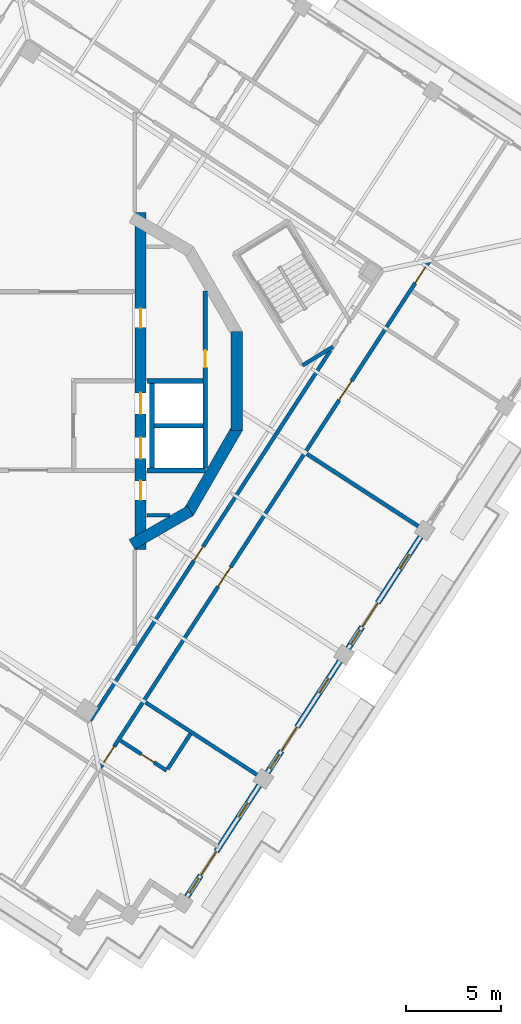
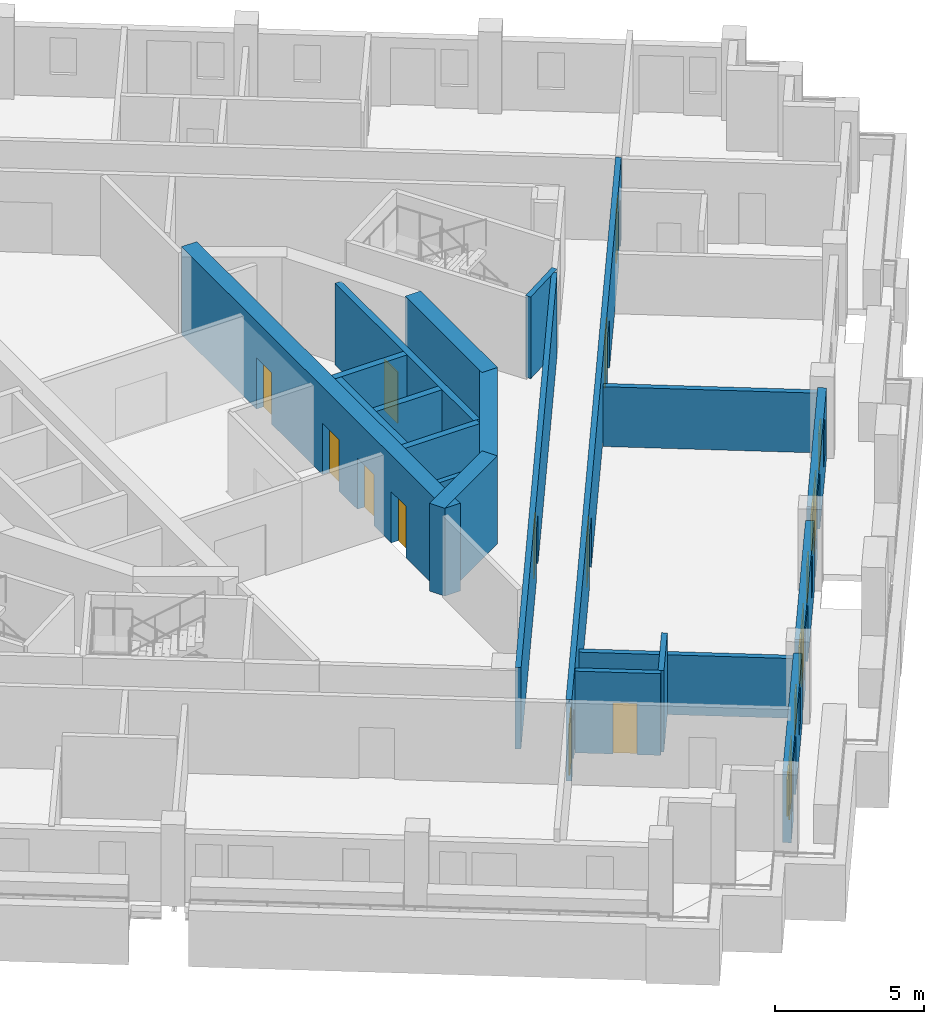
# One storey, part 6 of 15: 20 walls, 14 doors, 6 windows, 20 openings.
"""IFC4 building model written with IfcOpenShell, lengths in metres."""

import ifcopenshell
import ifcopenshell.guid

model = None  # the IFC model being written
_history = None  # IfcOwnerHistory: only IFC2X3 demands one
_inside = {}  # id of a spatial element -> (the spatial element, [elements in it])
_under = {}  # id of a project, library or spatial element -> (it, [spatial elements below it])
_declared = {}  # id of a project -> (the project, [libraries it declares])
_typed = {}  # id of a type object -> (the type object, [elements of that type])
_made_of = {}  # id of a material, layer set ... -> (it, [elements and type objects made of it])


def new_model(schema):
    """Start an empty IFC model of exactly this schema.

    Asked for "IFC4X3", IfcOpenShell would pick the latest addendum, in which some entities
    have other attributes; the version numbers below select the first issue.
    IFC2X3 requires an IfcOwnerHistory on every rooted entity: one is made here for all.
    """
    global model, _history
    if schema == "IFC4X3":
        model = ifcopenshell.file(schema_version=(4, 3, 0, 0))
    else:
        model = ifcopenshell.file(schema=schema)
    _inside.clear()
    _under.clear()
    _declared.clear()
    _typed.clear()
    _made_of.clear()
    _history = None
    if model.schema == "IFC2X3":
        org = make("IfcOrganization", Name="unknown")
        user = make(
            "IfcPersonAndOrganization",
            ThePerson=make("IfcPerson", FamilyName="unknown"),
            TheOrganization=org,
        )
        app = make(
            "IfcApplication",
            ApplicationDeveloper=org,
            Version="unknown",
            ApplicationFullName="unknown",
            ApplicationIdentifier="unknown",
        )
        _history = make(
            "IfcOwnerHistory",
            OwningUser=user,
            OwningApplication=app,
            ChangeAction="ADDED",
            CreationDate=0,
        )
    return model


def make(cls, **values):
    """One entity of the class cls with the attributes given. An attribute that is None is left unset."""
    return model.create_entity(
        cls, **{name: value for name, value in values.items() if value is not None}
    )


def rooted(cls, **values):
    """An entity with a GlobalId (a new one), such as an element, a storey or a relation."""
    return make(cls, GlobalId=ifcopenshell.guid.new(), OwnerHistory=_history, **values)


def si_unit(unit_type, name, prefix=None):
    """IfcSIUnit, for example si_unit("LENGTHUNIT", "METRE", prefix="MILLI")."""
    return make("IfcSIUnit", UnitType=unit_type, Prefix=prefix, Name=name)


def assignment(units):
    """IfcUnitAssignment: the units of a project."""
    return None if units is None else make("IfcUnitAssignment", Units=units)


def point(xyz):
    """IfcCartesianPoint."""
    return None if xyz is None else make("IfcCartesianPoint", Coordinates=xyz)


def direction(xyz):
    """IfcDirection."""
    return None if xyz is None else make("IfcDirection", DirectionRatios=xyz)


def frame(location, z_axis=None, x_axis=None):
    """IfcAxis2Placement3D, a coordinate frame: its origin and axes. An axis left out is left unset."""
    return make(
        "IfcAxis2Placement3D",
        Location=point(location),
        Axis=direction(z_axis),
        RefDirection=direction(x_axis),
    )


def frame_2d(location, x_axis=None):
    """IfcAxis2Placement2D, a coordinate frame in the plane: its origin and x axis."""
    return make(
        "IfcAxis2Placement2D", Location=point(location), RefDirection=direction(x_axis)
    )


def origin():
    """The frame at (0, 0, 0) with its axes left unset."""
    return frame((0.0, 0.0, 0.0))


def place(relative_to, where):
    """IfcLocalPlacement: puts the frame where relative to a parent placement (None: the world)."""
    return make(
        "IfcLocalPlacement", PlacementRelTo=relative_to, RelativePlacement=where
    )


def context(
    kind, dimensions, precision=None, world=None, true_north=None, identifier=None
):
    """IfcGeometricRepresentationContext, for example the 3D "Model" context."""
    return make(
        "IfcGeometricRepresentationContext",
        ContextIdentifier=identifier,
        ContextType=kind,
        CoordinateSpaceDimension=dimensions,
        Precision=precision,
        WorldCoordinateSystem=world,
        TrueNorth=true_north,
    )


def subcontext(parent, identifier, kind, view, scale=None):
    """IfcGeometricRepresentationSubContext, for example "Body" below "Model"."""
    return make(
        "IfcGeometricRepresentationSubContext",
        ContextIdentifier=identifier,
        ContextType=kind,
        ParentContext=parent,
        TargetScale=scale,
        TargetView=view,
    )


def project(units=None, contexts=None):
    """IfcProject with its units and contexts."""
    return rooted(
        "IfcProject",
        Name="project",
        RepresentationContexts=contexts,
        UnitsInContext=assignment(units),
    )


def spatial(cls, under=None, at=None, **own):
    """A site, building, storey or space (cls), placed at a placement, below another one or the project."""
    s = rooted(cls, ObjectPlacement=at, **own)
    if under is not None:
        _under.setdefault(under.id(), (under, []))[1].append(s)
    return s


def profile(cls, at=None, kind="AREA", **sizes):
    """A parametric profile (cls). Its sizes go by their IFC names, for example OverallWidth=200.0."""
    return make(cls, ProfileType=kind, Position=at, **sizes)


def rectangle(**sizes):
    """IfcRectangleProfileDef."""
    return profile("IfcRectangleProfileDef", **sizes)


def extrude(swept, where, along, depth):
    """IfcExtrudedAreaSolid: the profile swept, set in the frame where, extruded along a direction by depth."""
    return make(
        "IfcExtrudedAreaSolid",
        SweptArea=swept,
        Position=where,
        ExtrudedDirection=direction(along),
        Depth=depth,
    )


def shape(context_of_items, identifier, shape_type, items):
    """IfcShapeRepresentation: the items that make up one representation, for example the "Body"."""
    return make(
        "IfcShapeRepresentation",
        ContextOfItems=context_of_items,
        RepresentationIdentifier=identifier,
        RepresentationType=shape_type,
        Items=items,
    )


def material(Name=None, Category=None):
    """IfcMaterial."""
    return make("IfcMaterial", Name=Name, Category=Category)


def layer(
    of_material, thickness, ventilated=None, Name=None, Category=None, Priority=None
):
    """IfcMaterialLayer: one layer of a wall or slab, of a material (None: an air gap)."""
    return make(
        "IfcMaterialLayer",
        Material=of_material,
        LayerThickness=thickness,
        IsVentilated=ventilated,
        Name=Name,
        Category=Category,
        Priority=Priority,
    )


def layer_set(layers, Name=None):
    """IfcMaterialLayerSet."""
    return make("IfcMaterialLayerSet", MaterialLayers=layers, LayerSetName=Name)


def made_of(thing, what):
    """Note that an element or type object is made of a material, layer set ...; save() writes the relation."""
    if what is not None:
        _made_of.setdefault(what.id(), (what, []))[1].append(thing)
    return thing


def type_object(cls, material=None, **own):
    """A type object (cls), such as IfcWallType, which elements share."""
    return made_of(rooted(cls, **own), material)


def element(
    cls,
    number,
    at=None,
    inside=None,
    cuts=None,
    type_object=None,
    material=None,
    context=None,
    identifier="Body",
    shape_type=None,
    held_by="IfcProductDefinitionShape",
    body=None,
    shapes=None,
    **own,
):
    """One element of the class cls, such as IfcWall. Its Tag is "e" and its number.

    at: its placement. inside: the storey or other place that contains it. cuts: it is an
    opening in that element (IfcRelVoidsElement). A single representation is given by context,
    identifier, shape_type and body (its items); several are given by shapes. held_by: the class
    of the entity that holds the representations. save() writes the other relations.
    """
    e = rooted(cls, Tag="e%d" % number, ObjectPlacement=at, **own)
    if body is not None:
        shapes = [shape(context, identifier, shape_type, body)]
    if shapes is not None:
        e.Representation = make(held_by, Representations=shapes)
    if inside is not None:
        _inside.setdefault(inside.id(), (inside, []))[1].append(e)
    if cuts is not None:
        rooted(
            "IfcRelVoidsElement", RelatingBuildingElement=cuts, RelatedOpeningElement=e
        )
    if type_object is not None:
        _typed.setdefault(type_object.id(), (type_object, []))[1].append(e)
    return made_of(e, material)


def fill(opening, filler):
    """IfcRelFillsElement: the door or window that sits in an opening."""
    return rooted(
        "IfcRelFillsElement",
        RelatingOpeningElement=opening,
        RelatedBuildingElement=filler,
    )


def aggregate(whole, parts):
    """IfcRelAggregates: a whole, such as a stair, and the parts it consists of."""
    return rooted("IfcRelAggregates", RelatingObject=whole, RelatedObjects=parts)


def save(model, path):
    """Write the relations noted so far, then the file.

    IfcRelAggregates (storeys below a building ...), IfcRelContainedInSpatialStructure (elements
    in a storey), IfcRelDefinesByType, IfcRelAssociatesMaterial and IfcRelDeclares: one each for
    every whole, place, type object, material and project.
    """
    for whole, parts in _under.values():
        aggregate(whole, parts)
    for where, things in _inside.values():
        rooted(
            "IfcRelContainedInSpatialStructure",
            RelatedElements=things,
            RelatingStructure=where,
        )
    for kind, things in _typed.values():
        rooted("IfcRelDefinesByType", RelatedObjects=things, RelatingType=kind)
    for what, things in _made_of.values():
        rooted("IfcRelAssociatesMaterial", RelatedObjects=things, RelatingMaterial=what)
    for by, libraries in _declared.values():
        rooted("IfcRelDeclares", RelatingContext=by, RelatedDefinitions=libraries)
    model.write(path)


model = new_model("IFC4")

# Units and contexts
model_context = context("Model", 3, precision=1e-05, world=origin(), true_north=direction((0.0, 1.0)))
body_context = subcontext(model_context, "Body", "Model", "MODEL_VIEW")
ifc_project = project(units=[si_unit("LENGTHUNIT", "METRE"), si_unit("AREAUNIT", "SQUARE_METRE"), si_unit("VOLUMEUNIT", "CUBIC_METRE"), si_unit("PLANEANGLEUNIT", "RADIAN"), si_unit("MASSUNIT", "GRAM", prefix="KILO")], contexts=[model_context])

# Site, building, storey
site_placement = place(None, origin())
site = spatial("IfcSite", under=ifc_project, at=site_placement, CompositionType="ELEMENT")
building_placement = place(site_placement, origin())
building = spatial("IfcBuilding", under=site, at=building_placement, Name="Cantera Rosa Tower", CompositionType="ELEMENT")
storey_placement = place(building_placement, frame((0.0, 0.0, 282.89990234375)))
storey = spatial("IfcBuildingStorey", under=building, at=storey_placement, Name="L64", CompositionType="ELEMENT", Elevation=282.89990234375)

# Wall, opening, door
ifc_material_1 = material(Name="Gypsum board partition")
ifc_layer_1 = layer(ifc_material_1, 0.199951171875)
ifc_layer_set_1 = layer_set([ifc_layer_1], Name="CORRIDOR WALL 200 H3350")
wall_type_1 = type_object("IfcWallType", Name="CORRIDOR WALL 200 H3350", PredefinedType="PARTITIONING", material=ifc_layer_set_1)
wall_1_placement = place(storey_placement, frame((1.656982421875, -17.828857421875, 0.0), z_axis=(0.0, 0.0, 1.0), x_axis=(0.544640309195, 0.838669740482, 0.0)))
wall_1 = element("IfcWall", 1, at=wall_1_placement, inside=storey, type_object=wall_type_1, Name="CORRIDOR WALL L64-051", PredefinedType="PARTITIONING", context=body_context, shape_type="SweptSolid", body=[
    extrude(rectangle(XDim=23.1552734375, YDim=0.199951171875, at=frame_2d((11.57763671875, 0.0))), origin(), (0.0, 0.0, 1.0), 3.35009765625),
])
opening_1_placement = place(wall_1_placement, frame((9.984619140625, 0.0, 0.0)))
opening_1 = element("IfcOpeningElement", 2, at=opening_1_placement, cuts=wall_1, Name="Opening L64-007", PredefinedType="OPENING", context=body_context, shape_type="SweptSolid", body=[
    extrude(rectangle(XDim=0.89990234375, YDim=2.10009765625, at=frame_2d((0.449951171875, 1.050048828125))), frame((0.0, 0.10986328125, 0.0), z_axis=(0.0, -1.0, 0.0), x_axis=(1.0, 0.0, 0.0)), (0.0, 0.0, 1.0), 0.219970703125),
])
ifc_material_2 = material(Name="Timber door leaf", Category="wood")
door_type_1 = type_object("IfcDoorType", Name="SERVICE DOOR 900x2100", OperationType="NOTDEFINED", PredefinedType="DOOR", material=ifc_material_2)
door_1_placement = place(opening_1_placement, origin())
door_1 = element("IfcDoor", 3, at=door_1_placement, inside=storey, type_object=door_type_1, Name="DOOR L64-007", OperationType="NOTDEFINED", OverallHeight=2.10009765625, OverallWidth=0.89990234375, PredefinedType="DOOR", context=body_context, shape_type="SweptSolid", body=[
    extrude(rectangle(XDim=0.89990234375, YDim=2.10009765625, at=frame_2d((0.449951171875, 1.050048828125))), frame((0.0, 0.02490234375, 0.0), z_axis=(0.0, -1.0, 0.0), x_axis=(1.0, 0.0, 0.0)), (0.0, 0.0, 1.0), 0.050048828125),
])
fill(opening_1, door_1)

# Wall, openings, doors
wall_2_placement = place(storey_placement, frame((2.197265625, -20.302001953125, 0.0), z_axis=(0.0, 0.0, 1.0), x_axis=(0.544636461061, 0.838672239485, 0.0)))
wall_2 = element("IfcWall", 4, at=wall_2_placement, inside=storey, type_object=wall_type_1, Name="CORRIDOR WALL L64-053", PredefinedType="PARTITIONING", context=body_context, shape_type="SweptSolid", body=[
    extrude(rectangle(XDim=31.780029296875, YDim=0.199951171875, at=frame_2d((15.89013671875, 0.0))), origin(), (0.0, 0.0, 1.0), 3.35009765625),
])
opening_2_placement = place(wall_2_placement, frame((11.340087890625, 0.0, 0.0)))
opening_2 = element("IfcOpeningElement", 5, at=opening_2_placement, cuts=wall_2, Name="Opening L64-033", PredefinedType="OPENING", context=body_context, shape_type="SweptSolid", body=[
    extrude(rectangle(XDim=1.199951171875, YDim=2.10009765625, at=frame_2d((0.60009765625, 1.050048828125))), frame((0.0, 0.10986328125, 0.0), z_axis=(0.0, -1.0, 0.0), x_axis=(1.0, 0.0, 0.0)), (0.0, 0.0, 1.0), 0.219970703125),
])
opening_3_placement = place(wall_2_placement, frame((23.010009765625, 0.0, 0.0)))
opening_3 = element("IfcOpeningElement", 6, at=opening_3_placement, cuts=wall_2, Name="Opening L64-034", PredefinedType="OPENING", context=body_context, shape_type="SweptSolid", body=[
    extrude(rectangle(XDim=1.199951171875, YDim=2.10009765625, at=frame_2d((0.60009765625, 1.050048828125))), frame((0.0, 0.10986328125, 0.0), z_axis=(0.0, -1.0, 0.0), x_axis=(1.0, 0.0, 0.0)), (0.0, 0.0, 1.0), 0.219970703125),
])
opening_4_placement = place(wall_2_placement, frame((0.320068359375, 0.0, 0.0)))
opening_4 = element("IfcOpeningElement", 7, at=opening_4_placement, cuts=wall_2, Name="Opening L64-035", PredefinedType="OPENING", context=body_context, shape_type="SweptSolid", body=[
    extrude(rectangle(XDim=1.0, YDim=2.10009765625, at=frame_2d((0.5, 1.050048828125))), frame((0.0, 0.10986328125, 0.0), z_axis=(0.0, -1.0, 0.0), x_axis=(1.0, 0.0, 0.0)), (0.0, 0.0, 1.0), 0.219970703125),
])
opening_5_placement = place(wall_2_placement, frame((30.340087890625, 0.0, 0.0)))
opening_5 = element("IfcOpeningElement", 8, at=opening_5_placement, cuts=wall_2, Name="Opening L64-038", PredefinedType="OPENING", context=body_context, shape_type="SweptSolid", body=[
    extrude(rectangle(XDim=1.0, YDim=2.10009765625, at=frame_2d((0.5, 1.050048828125))), frame((0.0, 0.10986328125, 0.0), z_axis=(0.0, -1.0, 0.0), x_axis=(1.0, 0.0, 0.0)), (0.0, 0.0, 1.0), 0.219970703125),
])
ifc_material_3 = material(Name="Timber door leaf", Category="wood")
door_type_2 = type_object("IfcDoorType", Name="ENTRANCE DOOR 1000x2100", OperationType="NOTDEFINED", PredefinedType="DOOR", material=ifc_material_3)
door_2_placement = place(opening_4_placement, origin())
door_2 = element("IfcDoor", 9, at=door_2_placement, inside=storey, type_object=door_type_2, Name="DOOR L64-035", OperationType="NOTDEFINED", OverallHeight=2.10009765625, OverallWidth=1.0, PredefinedType="DOOR", context=body_context, shape_type="SweptSolid", body=[
    extrude(rectangle(XDim=1.0, YDim=2.10009765625, at=frame_2d((0.5, 1.050048828125))), frame((0.0, 0.02490234375, 0.0), z_axis=(0.0, -1.0, 0.0), x_axis=(1.0, 0.0, 0.0)), (0.0, 0.0, 1.0), 0.050048828125),
])
fill(opening_4, door_2)
door_3_placement = place(opening_5_placement, origin())
door_3 = element("IfcDoor", 10, at=door_3_placement, inside=storey, type_object=door_type_2, Name="DOOR L64-038", OperationType="NOTDEFINED", OverallHeight=2.10009765625, OverallWidth=1.0, PredefinedType="DOOR", context=body_context, shape_type="SweptSolid", body=[
    extrude(rectangle(XDim=1.0, YDim=2.10009765625, at=frame_2d((0.5, 1.050048828125))), frame((0.0, 0.02490234375, 0.0), z_axis=(0.0, -1.0, 0.0), x_axis=(1.0, 0.0, 0.0)), (0.0, 0.0, 1.0), 0.050048828125),
])
fill(opening_5, door_3)
ifc_material_4 = material(Name="Timber door leaf", Category="wood")
door_type_3 = type_object("IfcDoorType", Name="ROOM DOOR 1200x2100", OperationType="NOTDEFINED", PredefinedType="DOOR", material=ifc_material_4)
door_4_placement = place(opening_2_placement, origin())
door_4 = element("IfcDoor", 11, at=door_4_placement, inside=storey, type_object=door_type_3, Name="DOOR L64-033", OperationType="NOTDEFINED", OverallHeight=2.10009765625, OverallWidth=1.199951171875, PredefinedType="DOOR", context=body_context, shape_type="SweptSolid", body=[
    extrude(rectangle(XDim=1.199951171875, YDim=2.10009765625, at=frame_2d((0.60009765625, 1.050048828125))), frame((0.0, 0.02490234375, 0.0), z_axis=(0.0, -1.0, 0.0), x_axis=(1.0, 0.0, 0.0)), (0.0, 0.0, 1.0), 0.050048828125),
])
fill(opening_2, door_4)
door_5_placement = place(opening_3_placement, origin())
door_5 = element("IfcDoor", 12, at=door_5_placement, inside=storey, type_object=door_type_3, Name="DOOR L64-034", OperationType="NOTDEFINED", OverallHeight=2.10009765625, OverallWidth=1.199951171875, PredefinedType="DOOR", context=body_context, shape_type="SweptSolid", body=[
    extrude(rectangle(XDim=1.199951171875, YDim=2.10009765625, at=frame_2d((0.60009765625, 1.050048828125))), frame((0.0, 0.02490234375, 0.0), z_axis=(0.0, -1.0, 0.0), x_axis=(1.0, 0.0, 0.0)), (0.0, 0.0, 1.0), 0.050048828125),
])
fill(opening_3, door_5)

# Wall, openings, windows, door
ifc_material_5 = material(Name="Hollow clay masonry with cantera stone cladding", Category="masonry")
ifc_layer_2 = layer(ifc_material_5, 0.300048828125)
ifc_layer_set_2 = layer_set([ifc_layer_2], Name="EW-LOGGIA 300 H2890")
wall_type_2 = type_object("IfcWallType", Name="EW-LOGGIA 300 H2890", PredefinedType="SOLIDWALL", material=ifc_layer_set_2)
wall_3_placement = place(storey_placement, frame((6.7333984375, -27.08740234375, 0.0), z_axis=(0.0, 0.0, 1.0), x_axis=(0.544651451949, 0.838662504164, 0.0)))
wall_3 = element("IfcWall", 13, at=wall_3_placement, inside=storey, type_object=wall_type_2, Name="EN-L64-W20", PredefinedType="SOLIDWALL", context=body_context, shape_type="SweptSolid", body=[
    extrude(rectangle(XDim=6.980224609375, YDim=0.300048828125, at=frame_2d((3.490234375, 0.0))), origin(), (0.0, 0.0, 1.0), 2.89013671875),
])
opening_6_placement = place(wall_3_placement, frame((0.2451171875, 0.0, 0.89990234375)))
opening_6 = element("IfcOpeningElement", 14, at=opening_6_placement, cuts=wall_3, Name="Opening L64-W34", PredefinedType="OPENING", context=body_context, shape_type="SweptSolid", body=[
    extrude(rectangle(XDim=0.89990234375, YDim=1.5, at=frame_2d((0.449951171875, 0.75))), frame((0.0, 0.159912109375, 0.0), z_axis=(0.0, -1.0, 0.0), x_axis=(1.0, 0.0, 0.0)), (0.0, 0.0, 1.0), 0.320068359375),
])
opening_7_placement = place(wall_3_placement, frame((1.344970703125, 0.0, 0.0)))
opening_7 = element("IfcOpeningElement", 15, at=opening_7_placement, cuts=wall_3, Name="Opening L64-TD35", PredefinedType="OPENING", context=body_context, shape_type="SweptSolid", body=[
    extrude(rectangle(XDim=1.5, YDim=2.39990234375, at=frame_2d((0.75, 1.199951171875))), frame((0.0, 0.159912109375, 0.0), z_axis=(0.0, -1.0, 0.0), x_axis=(1.0, 0.0, 0.0)), (0.0, 0.0, 1.0), 0.320068359375),
])
opening_8_placement = place(wall_3_placement, frame((4.985107421875, 0.0, 0.89990234375)))
opening_8 = element("IfcOpeningElement", 16, at=opening_8_placement, cuts=wall_3, Name="Opening L64-W36", PredefinedType="OPENING", context=body_context, shape_type="SweptSolid", body=[
    extrude(rectangle(XDim=0.89990234375, YDim=1.5, at=frame_2d((0.449951171875, 0.75))), frame((0.0, 0.159912109375, 0.0), z_axis=(0.0, -1.0, 0.0), x_axis=(1.0, 0.0, 0.0)), (0.0, 0.0, 1.0), 0.320068359375),
])
ifc_material_6 = material(Name="Aluminium frame with clear glass", Category="aluminium")
window_type = type_object("IfcWindowType", Name="Residential window 900x1500", PartitioningType="SINGLE_PANEL", PredefinedType="WINDOW", material=ifc_material_6)
window_1_placement = place(opening_6_placement, origin())
window_1 = element("IfcWindow", 17, at=window_1_placement, inside=storey, type_object=window_type, Name="WINDOW L64-W34", OverallHeight=1.5, OverallWidth=0.89990234375, PartitioningType="SINGLE_PANEL", PredefinedType="WINDOW", context=body_context, shape_type="SweptSolid", body=[
    extrude(rectangle(XDim=0.89990234375, YDim=1.5, at=frame_2d((0.449951171875, 0.75))), frame((0.0, 0.030029296875, 0.0), z_axis=(0.0, -1.0, 0.0), x_axis=(1.0, 0.0, 0.0)), (0.0, 0.0, 1.0), 0.06005859375),
])
fill(opening_6, window_1)
window_2_placement = place(opening_8_placement, origin())
window_2 = element("IfcWindow", 18, at=window_2_placement, inside=storey, type_object=window_type, Name="WINDOW L64-W36", OverallHeight=1.5, OverallWidth=0.89990234375, PartitioningType="SINGLE_PANEL", PredefinedType="WINDOW", context=body_context, shape_type="SweptSolid", body=[
    extrude(rectangle(XDim=0.89990234375, YDim=1.5, at=frame_2d((0.449951171875, 0.75))), frame((0.0, 0.030029296875, 0.0), z_axis=(0.0, -1.0, 0.0), x_axis=(1.0, 0.0, 0.0)), (0.0, 0.0, 1.0), 0.06005859375),
])
fill(opening_8, window_2)
ifc_material_7 = material(Name="Aluminium frame with clear glass", Category="aluminium")
door_type_4 = type_object("IfcDoorType", Name="TD-R 1500x2400", OperationType="NOTDEFINED", PredefinedType="DOOR", material=ifc_material_7)
door_6_placement = place(opening_7_placement, origin())
door_6 = element("IfcDoor", 19, at=door_6_placement, inside=storey, type_object=door_type_4, Name="LOGGIA DOOR L64-TD35", OperationType="SLIDING_TO_LEFT", OverallHeight=2.39990234375, OverallWidth=1.5, PredefinedType="DOOR", context=body_context, shape_type="SweptSolid", body=[
    extrude(rectangle(XDim=1.5, YDim=2.39990234375, at=frame_2d((0.75, 1.199951171875))), frame((0.0, 0.02490234375, 0.0), z_axis=(0.0, -1.0, 0.0), x_axis=(1.0, 0.0, 0.0)), (0.0, 0.0, 1.0), 0.050048828125),
])
fill(opening_7, door_6)

wall_4_placement = place(storey_placement, frame((10.970703125, -20.5625, 0.0), z_axis=(0.0, 0.0, 1.0), x_axis=(0.544651451949, 0.838662504164, 0.0)))
wall_4 = element("IfcWall", 20, at=wall_4_placement, inside=storey, type_object=wall_type_2, Name="EN-L64-W21", PredefinedType="SOLIDWALL", context=body_context, shape_type="SweptSolid", body=[
    extrude(rectangle(XDim=6.980224609375, YDim=0.300048828125, at=frame_2d((3.490234375, 0.0))), origin(), (0.0, 0.0, 1.0), 2.89013671875),
])
opening_9_placement = place(wall_4_placement, frame((0.2451171875, 0.0, 0.89990234375)))
opening_9 = element("IfcOpeningElement", 21, at=opening_9_placement, cuts=wall_4, Name="Opening L64-W37", PredefinedType="OPENING", context=body_context, shape_type="SweptSolid", body=[
    extrude(rectangle(XDim=0.89990234375, YDim=1.5, at=frame_2d((0.449951171875, 0.75))), frame((0.0, 0.159912109375, 0.0), z_axis=(0.0, -1.0, 0.0), x_axis=(1.0, 0.0, 0.0)), (0.0, 0.0, 1.0), 0.320068359375),
])
opening_10_placement = place(wall_4_placement, frame((1.344970703125, 0.0, 0.0)))
opening_10 = element("IfcOpeningElement", 22, at=opening_10_placement, cuts=wall_4, Name="Opening L64-TD38", PredefinedType="OPENING", context=body_context, shape_type="SweptSolid", body=[
    extrude(rectangle(XDim=1.5, YDim=2.39990234375, at=frame_2d((0.75, 1.199951171875))), frame((0.0, 0.159912109375, 0.0), z_axis=(0.0, -1.0, 0.0), x_axis=(1.0, 0.0, 0.0)), (0.0, 0.0, 1.0), 0.320068359375),
])
opening_11_placement = place(wall_4_placement, frame((4.985107421875, 0.0, 0.89990234375)))
opening_11 = element("IfcOpeningElement", 23, at=opening_11_placement, cuts=wall_4, Name="Opening L64-W39", PredefinedType="OPENING", context=body_context, shape_type="SweptSolid", body=[
    extrude(rectangle(XDim=0.89990234375, YDim=1.5, at=frame_2d((0.449951171875, 0.75))), frame((0.0, 0.159912109375, 0.0), z_axis=(0.0, -1.0, 0.0), x_axis=(1.0, 0.0, 0.0)), (0.0, 0.0, 1.0), 0.320068359375),
])
window_3_placement = place(opening_9_placement, origin())
window_3 = element("IfcWindow", 24, at=window_3_placement, inside=storey, type_object=window_type, Name="WINDOW L64-W37", OverallHeight=1.5, OverallWidth=0.89990234375, PartitioningType="SINGLE_PANEL", PredefinedType="WINDOW", context=body_context, shape_type="SweptSolid", body=[
    extrude(rectangle(XDim=0.89990234375, YDim=1.5, at=frame_2d((0.449951171875, 0.75))), frame((0.0, 0.030029296875, 0.0), z_axis=(0.0, -1.0, 0.0), x_axis=(1.0, 0.0, 0.0)), (0.0, 0.0, 1.0), 0.06005859375),
])
fill(opening_9, window_3)
window_4_placement = place(opening_11_placement, origin())
window_4 = element("IfcWindow", 25, at=window_4_placement, inside=storey, type_object=window_type, Name="WINDOW L64-W39", OverallHeight=1.5, OverallWidth=0.89990234375, PartitioningType="SINGLE_PANEL", PredefinedType="WINDOW", context=body_context, shape_type="SweptSolid", body=[
    extrude(rectangle(XDim=0.89990234375, YDim=1.5, at=frame_2d((0.449951171875, 0.75))), frame((0.0, 0.030029296875, 0.0), z_axis=(0.0, -1.0, 0.0), x_axis=(1.0, 0.0, 0.0)), (0.0, 0.0, 1.0), 0.06005859375),
])
fill(opening_11, window_4)
door_7_placement = place(opening_10_placement, origin())
door_7 = element("IfcDoor", 26, at=door_7_placement, inside=storey, type_object=door_type_4, Name="LOGGIA DOOR L64-TD38", OperationType="SLIDING_TO_LEFT", OverallHeight=2.39990234375, OverallWidth=1.5, PredefinedType="DOOR", context=body_context, shape_type="SweptSolid", body=[
    extrude(rectangle(XDim=1.5, YDim=2.39990234375, at=frame_2d((0.75, 1.199951171875))), frame((0.0, 0.02490234375, 0.0), z_axis=(0.0, -1.0, 0.0), x_axis=(1.0, 0.0, 0.0)), (0.0, 0.0, 1.0), 0.050048828125),
])
fill(opening_10, door_7)

wall_5_placement = place(storey_placement, frame((15.2080078125, -14.03759765625, 0.0), z_axis=(0.0, 0.0, 1.0), x_axis=(0.544651451949, 0.838662504164, 0.0)))
wall_5 = element("IfcWall", 27, at=wall_5_placement, inside=storey, type_object=wall_type_2, Name="EN-L64-W22", PredefinedType="SOLIDWALL", context=body_context, shape_type="SweptSolid", body=[
    extrude(rectangle(XDim=6.980224609375, YDim=0.300048828125, at=frame_2d((3.490234375, 0.0))), origin(), (0.0, 0.0, 1.0), 2.89013671875),
])
opening_12_placement = place(wall_5_placement, frame((0.2451171875, 0.0, 0.89990234375)))
opening_12 = element("IfcOpeningElement", 28, at=opening_12_placement, cuts=wall_5, Name="Opening L64-W40", PredefinedType="OPENING", context=body_context, shape_type="SweptSolid", body=[
    extrude(rectangle(XDim=0.89990234375, YDim=1.5, at=frame_2d((0.449951171875, 0.75))), frame((0.0, 0.159912109375, 0.0), z_axis=(0.0, -1.0, 0.0), x_axis=(1.0, 0.0, 0.0)), (0.0, 0.0, 1.0), 0.320068359375),
])
opening_13_placement = place(wall_5_placement, frame((1.344970703125, 0.0, 0.0)))
opening_13 = element("IfcOpeningElement", 29, at=opening_13_placement, cuts=wall_5, Name="Opening L64-TD41", PredefinedType="OPENING", context=body_context, shape_type="SweptSolid", body=[
    extrude(rectangle(XDim=1.5, YDim=2.39990234375, at=frame_2d((0.75, 1.199951171875))), frame((0.0, 0.159912109375, 0.0), z_axis=(0.0, -1.0, 0.0), x_axis=(1.0, 0.0, 0.0)), (0.0, 0.0, 1.0), 0.320068359375),
])
opening_14_placement = place(wall_5_placement, frame((4.985107421875, 0.0, 0.89990234375)))
opening_14 = element("IfcOpeningElement", 30, at=opening_14_placement, cuts=wall_5, Name="Opening L64-W42", PredefinedType="OPENING", context=body_context, shape_type="SweptSolid", body=[
    extrude(rectangle(XDim=0.89990234375, YDim=1.5, at=frame_2d((0.449951171875, 0.75))), frame((0.0, 0.159912109375, 0.0), z_axis=(0.0, -1.0, 0.0), x_axis=(1.0, 0.0, 0.0)), (0.0, 0.0, 1.0), 0.320068359375),
])
window_5_placement = place(opening_12_placement, origin())
window_5 = element("IfcWindow", 31, at=window_5_placement, inside=storey, type_object=window_type, Name="WINDOW L64-W40", OverallHeight=1.5, OverallWidth=0.89990234375, PartitioningType="SINGLE_PANEL", PredefinedType="WINDOW", context=body_context, shape_type="SweptSolid", body=[
    extrude(rectangle(XDim=0.89990234375, YDim=1.5, at=frame_2d((0.449951171875, 0.75))), frame((0.0, 0.030029296875, 0.0), z_axis=(0.0, -1.0, 0.0), x_axis=(1.0, 0.0, 0.0)), (0.0, 0.0, 1.0), 0.06005859375),
])
fill(opening_12, window_5)
window_6_placement = place(opening_14_placement, origin())
window_6 = element("IfcWindow", 32, at=window_6_placement, inside=storey, type_object=window_type, Name="WINDOW L64-W42", OverallHeight=1.5, OverallWidth=0.89990234375, PartitioningType="SINGLE_PANEL", PredefinedType="WINDOW", context=body_context, shape_type="SweptSolid", body=[
    extrude(rectangle(XDim=0.89990234375, YDim=1.5, at=frame_2d((0.449951171875, 0.75))), frame((0.0, 0.030029296875, 0.0), z_axis=(0.0, -1.0, 0.0), x_axis=(1.0, 0.0, 0.0)), (0.0, 0.0, 1.0), 0.06005859375),
])
fill(opening_14, window_6)
door_8_placement = place(opening_13_placement, origin())
door_8 = element("IfcDoor", 33, at=door_8_placement, inside=storey, type_object=door_type_4, Name="LOGGIA DOOR L64-TD41", OperationType="SLIDING_TO_LEFT", OverallHeight=2.39990234375, OverallWidth=1.5, PredefinedType="DOOR", context=body_context, shape_type="SweptSolid", body=[
    extrude(rectangle(XDim=1.5, YDim=2.39990234375, at=frame_2d((0.75, 1.199951171875))), frame((0.0, 0.02490234375, 0.0), z_axis=(0.0, -1.0, 0.0), x_axis=(1.0, 0.0, 0.0)), (0.0, 0.0, 1.0), 0.050048828125),
])
fill(opening_13, door_8)

# Wall
ifc_material_8 = material(Name="Gypsum board partition")
ifc_layer_3 = layer(ifc_material_8, 0.199951171875)
ifc_layer_set_3 = layer_set([ifc_layer_3], Name="PARTITION 200 H2450")
wall_type_3 = type_object("IfcWallType", Name="PARTITION 200 H2450", PredefinedType="PARTITIONING", material=ifc_layer_set_3)
wall_6_placement = place(storey_placement, frame((13.0380859375, -3.828857421875, 0.0), z_axis=(0.0, 0.0, 1.0), x_axis=(0.838684106336, -0.544618187155, 0.0)))
element("IfcWall", 34, at=wall_6_placement, inside=storey, type_object=wall_type_3, Name="PARTITION L64-076", PredefinedType="PARTITIONING", context=body_context, shape_type="SweptSolid", body=[
    extrude(rectangle(XDim=7.349853515625, YDim=0.199951171875, at=frame_2d((3.6748046875, 0.0))), origin(), (0.0, 0.0, 1.0), 2.4501953125),
])

# Wall, opening, door
ifc_material_9 = material(Name="Gypsum board partition")
ifc_layer_4 = layer(ifc_material_9, 0.199951171875)
ifc_layer_set_4 = layer_set([ifc_layer_4], Name="PARTITION 200 H3350")
wall_type_4 = type_object("IfcWallType", Name="PARTITION 200 H3350", PredefinedType="PARTITIONING", material=ifc_layer_set_4)
wall_7_placement = place(storey_placement, frame((5.671875, -20.4599609375, 0.0), z_axis=(0.0, 0.0, 1.0), x_axis=(-0.838679811106, 0.544624801532, 0.0)))
wall_7 = element("IfcWall", 35, at=wall_7_placement, inside=storey, type_object=wall_type_4, Name="PARTITION L64-061", PredefinedType="PARTITIONING", context=body_context, shape_type="SweptSolid", body=[
    extrude(rectangle(XDim=2.880126953125, YDim=0.199951171875, at=frame_2d((1.43994140625, 0.0))), origin(), (0.0, 0.0, 1.0), 3.35009765625),
])
opening_15_placement = place(wall_7_placement, frame((0.800048828125, 0.0, 0.0)))
opening_15 = element("IfcOpeningElement", 36, at=opening_15_placement, cuts=wall_7, Name="Opening L64-036", PredefinedType="OPENING", context=body_context, shape_type="SweptSolid", body=[
    extrude(rectangle(XDim=0.800048828125, YDim=2.10009765625, at=frame_2d((0.39990234375, 1.050048828125))), frame((0.0, 0.10986328125, 0.0), z_axis=(0.0, -1.0, 0.0), x_axis=(1.0, 0.0, 0.0)), (0.0, 0.0, 1.0), 0.219970703125),
])
ifc_material_10 = material(Name="Timber door leaf", Category="wood")
door_type_5 = type_object("IfcDoorType", Name="BATHROOM DOOR 800x2100", OperationType="NOTDEFINED", PredefinedType="DOOR", material=ifc_material_10)
door_9_placement = place(opening_15_placement, origin())
door_9 = element("IfcDoor", 37, at=door_9_placement, inside=storey, type_object=door_type_5, Name="DOOR L64-036", OperationType="NOTDEFINED", OverallHeight=2.10009765625, OverallWidth=0.800048828125, PredefinedType="DOOR", context=body_context, shape_type="SweptSolid", body=[
    extrude(rectangle(XDim=0.800048828125, YDim=2.10009765625, at=frame_2d((0.39990234375, 1.050048828125))), frame((0.0, 0.02490234375, 0.0), z_axis=(0.0, -1.0, 0.0), x_axis=(1.0, 0.0, 0.0)), (0.0, 0.0, 1.0), 0.050048828125),
])
fill(opening_15, door_9)

# Walls
wall_8_placement = place(storey_placement, frame((5.84765625, -7.050048828125, 0.0), z_axis=(0.0, 0.0, 1.0), x_axis=(-1.0, 0.0, 0.0)))
element("IfcWall", 38, at=wall_8_placement, inside=storey, type_object=wall_type_4, Name="PARTITION L64-062", PredefinedType="PARTITIONING", context=body_context, shape_type="SweptSolid", body=[
    extrude(rectangle(XDim=1.2177734375, YDim=0.199951171875, at=frame_2d((0.60888671875, 0.0))), origin(), (0.0, 0.0, 1.0), 3.35009765625),
])
wall_9_placement = place(storey_placement, frame((6.924560546875, -18.531005859375, 0.0), z_axis=(0.0, 0.0, 1.0), x_axis=(-0.544672350866, -0.838648931438, 0.0)))
element("IfcWall", 39, at=wall_9_placement, inside=storey, type_object=wall_type_4, Name="PARTITION L64-065", PredefinedType="PARTITIONING", context=body_context, shape_type="SweptSolid", body=[
    extrude(rectangle(XDim=2.199951171875, YDim=0.199951171875, at=frame_2d((1.10009765625, 0.0))), origin(), (0.0, 0.0, 1.0), 3.35009765625),
])
ifc_material_11 = material(Name="Gypsum board partition")
ifc_layer_5 = layer(ifc_material_11, 0.199951171875)
ifc_layer_set_5 = layer_set([ifc_layer_5], Name="PARTY WALL 200 H2450")
wall_type_5 = type_object("IfcWallType", Name="PARTY WALL 200 H2450", PredefinedType="PARTITIONING", material=ifc_layer_set_5)
wall_10_placement = place(storey_placement, frame((10.727783203125, -20.881591796875, 0.0), z_axis=(0.0, 0.0, 1.0), x_axis=(-0.838659080818, 0.544656723232, 0.0)))
element("IfcWall", 40, at=wall_10_placement, inside=storey, type_object=wall_type_5, Name="PARTY WALL L64-072", PredefinedType="PARTITIONING", context=body_context, shape_type="SweptSolid", body=[
    extrude(rectangle(XDim=7.349853515625, YDim=0.199951171875, at=frame_2d((3.6748046875, 0.0))), origin(), (0.0, 0.0, 1.0), 2.4501953125),
])
ifc_material_12 = material(Name="Concrete C50/60", Category="concrete")
ifc_layer_6 = layer(ifc_material_12, 0.60009765625)
ifc_layer_set_6 = layer_set([ifc_layer_6], Name="RC CORE WALL 600 C50/60")
wall_type_6 = type_object("IfcWallType", Name="RC CORE WALL 600 C50/60", PredefinedType="SHEAR", material=ifc_layer_set_6)
for number, where, z_axis, x_axis, name in (
    (41, (9.359375, 2.588134765625, 0.0), (0.0, 0.0, 1.0), (0.0, -1.0, 0.0), "CW-E3 L64"),
    (42, (9.3994140625, -2.438232421875, 0.0), (0.0, 0.0, 1.0), (-0.499989188378, -0.866031645787, 0.0), "CW-E4 L64"),
):
    element("IfcWall", number, at=place(storey_placement, frame(where, z_axis=z_axis, x_axis=x_axis)), inside=storey, type_object=wall_type_6, Name=name, PredefinedType="SHEAR", context=body_context, shape_type="SweptSolid", body=[
        extrude(rectangle(XDim=5.17626953125, YDim=0.60009765625, at=frame_2d((2.588134765625, 0.0))), origin(), (0.0, 0.0, 1.0), 3.60009765625),
    ])
wall_11_placement = place(storey_placement, frame((6.921142578125, -6.811279296875, 0.0), z_axis=(0.0, 0.0, 1.0), x_axis=(-0.866039982607, -0.499974747889, 0.0)))
element("IfcWall", 43, at=wall_11_placement, inside=storey, type_object=wall_type_6, Name="CW-E5 L64", PredefinedType="SHEAR", context=body_context, shape_type="SweptSolid", body=[
    extrude(rectangle(XDim=3.546142578125, YDim=0.60009765625, at=frame_2d((1.77294921875, 0.0))), origin(), (0.0, 0.0, 1.0), 3.60009765625),
])

# Wall, openings, doors
wall_12_placement = place(storey_placement, frame((4.300048828125, -8.84423828125, 0.0), z_axis=(0.0, 0.0, 1.0), x_axis=(0.0, 1.0, 0.0)))
wall_12 = element("IfcWall", 44, at=wall_12_placement, inside=storey, type_object=wall_type_6, Name="CW-E6 L64", PredefinedType="SHEAR", context=body_context, shape_type="SweptSolid", body=[
    extrude(rectangle(XDim=17.6884765625, YDim=0.60009765625, at=frame_2d((8.84423828125, 0.0))), origin(), (0.0, 0.0, 1.0), 3.60009765625),
])
opening_16_placement = place(wall_12_placement, frame((4.76904296875, 0.0, 0.0)))
opening_16 = element("IfcOpeningElement", 45, at=opening_16_placement, cuts=wall_12, Name="Opening LD-FF1-L64", PredefinedType="OPENING", context=body_context, shape_type="SweptSolid", body=[
    extrude(rectangle(XDim=1.10009765625, YDim=2.10009765625, at=frame_2d((0.550048828125, 1.050048828125))), frame((0.0, 0.31005859375, 0.0), z_axis=(0.0, -1.0, 0.0), x_axis=(1.0, 0.0, 0.0)), (0.0, 0.0, 1.0), 0.6201171875),
])
opening_17_placement = place(wall_12_placement, frame((7.119140625, 0.0, 0.0)))
opening_17 = element("IfcOpeningElement", 46, at=opening_17_placement, cuts=wall_12, Name="Opening LD-FF2-L64", PredefinedType="OPENING", context=body_context, shape_type="SweptSolid", body=[
    extrude(rectangle(XDim=1.10009765625, YDim=2.10009765625, at=frame_2d((0.550048828125, 1.050048828125))), frame((0.0, 0.31005859375, 0.0), z_axis=(0.0, -1.0, 0.0), x_axis=(1.0, 0.0, 0.0)), (0.0, 0.0, 1.0), 0.6201171875),
])
opening_18_placement = place(wall_12_placement, frame((2.5966796875, 0.0, 0.0)))
opening_18 = element("IfcOpeningElement", 47, at=opening_18_placement, cuts=wall_12, Name="Opening SD-L64-16", PredefinedType="OPENING", context=body_context, shape_type="SweptSolid", body=[
    extrude(rectangle(XDim=1.0, YDim=2.10009765625, at=frame_2d((0.5, 1.050048828125))), frame((0.0, 0.31005859375, 0.0), z_axis=(0.0, -1.0, 0.0), x_axis=(1.0, 0.0, 0.0)), (0.0, 0.0, 1.0), 0.6201171875),
])
opening_19_placement = place(wall_12_placement, frame((11.6494140625, 0.0, 0.0)))
opening_19 = element("IfcOpeningElement", 48, at=opening_19_placement, cuts=wall_12, Name="Opening SD-L64-17", PredefinedType="OPENING", context=body_context, shape_type="SweptSolid", body=[
    extrude(rectangle(XDim=1.0, YDim=2.10009765625, at=frame_2d((0.5, 1.050048828125))), frame((0.0, 0.31005859375, 0.0), z_axis=(0.0, -1.0, 0.0), x_axis=(1.0, 0.0, 0.0)), (0.0, 0.0, 1.0), 0.6201171875),
])
ifc_material_13 = material(Name="Steel S355J2 (EN 10025-2)", Category="steel")
door_type_6 = type_object("IfcDoorType", Name="LANDING DOOR 1100x2100", OperationType="NOTDEFINED", PredefinedType="DOOR", material=ifc_material_13)
door_10_placement = place(opening_16_placement, origin())
door_10 = element("IfcDoor", 49, at=door_10_placement, inside=storey, type_object=door_type_6, Name="LANDING DOOR FF1 L64", OperationType="SLIDING_TO_LEFT", OverallHeight=2.10009765625, OverallWidth=1.10009765625, PredefinedType="DOOR", context=body_context, shape_type="SweptSolid", body=[
    extrude(rectangle(XDim=1.10009765625, YDim=2.10009765625, at=frame_2d((0.550048828125, 1.050048828125))), frame((0.0, 0.02490234375, 0.0), z_axis=(0.0, -1.0, 0.0), x_axis=(1.0, 0.0, 0.0)), (0.0, 0.0, 1.0), 0.050048828125),
])
fill(opening_16, door_10)
door_11_placement = place(opening_17_placement, origin())
door_11 = element("IfcDoor", 50, at=door_11_placement, inside=storey, type_object=door_type_6, Name="LANDING DOOR FF2 L64", OperationType="SLIDING_TO_LEFT", OverallHeight=2.10009765625, OverallWidth=1.10009765625, PredefinedType="DOOR", context=body_context, shape_type="SweptSolid", body=[
    extrude(rectangle(XDim=1.10009765625, YDim=2.10009765625, at=frame_2d((0.550048828125, 1.050048828125))), frame((0.0, 0.02490234375, 0.0), z_axis=(0.0, -1.0, 0.0), x_axis=(1.0, 0.0, 0.0)), (0.0, 0.0, 1.0), 0.050048828125),
])
fill(opening_17, door_11)
ifc_material_14 = material(Name="Timber door leaf", Category="wood")
door_type_7 = type_object("IfcDoorType", Name="SERVICE DOOR 1000x2100", OperationType="NOTDEFINED", PredefinedType="DOOR", material=ifc_material_14)
door_12_placement = place(opening_18_placement, origin())
door_12 = element("IfcDoor", 51, at=door_12_placement, inside=storey, type_object=door_type_7, Name="DOOR L64-SD16", OperationType="NOTDEFINED", OverallHeight=2.10009765625, OverallWidth=1.0, PredefinedType="DOOR", context=body_context, shape_type="SweptSolid", body=[
    extrude(rectangle(XDim=1.0, YDim=2.10009765625, at=frame_2d((0.5, 1.050048828125))), frame((0.0, 0.02490234375, 0.0), z_axis=(0.0, -1.0, 0.0), x_axis=(1.0, 0.0, 0.0)), (0.0, 0.0, 1.0), 0.050048828125),
])
fill(opening_18, door_12)
door_13_placement = place(opening_19_placement, origin())
door_13 = element("IfcDoor", 52, at=door_13_placement, inside=storey, type_object=door_type_7, Name="DOOR L64-SD17", OperationType="NOTDEFINED", OverallHeight=2.10009765625, OverallWidth=1.0, PredefinedType="DOOR", context=body_context, shape_type="SweptSolid", body=[
    extrude(rectangle(XDim=1.0, YDim=2.10009765625, at=frame_2d((0.5, 1.050048828125))), frame((0.0, 0.02490234375, 0.0), z_axis=(0.0, -1.0, 0.0), x_axis=(1.0, 0.0, 0.0)), (0.0, 0.0, 1.0), 0.050048828125),
])
fill(opening_19, door_13)

# Walls
ifc_material_15 = material(Name="Masonry blockwork", Category="masonry")
ifc_layer_7 = layer(ifc_material_15, 0.25)
ifc_layer_set_7 = layer_set([ifc_layer_7], Name="SHAFT WALL 250 H3350")
wall_type_7 = type_object("IfcWallType", Name="SHAFT WALL 250 H3350", PredefinedType="SOLIDWALL", material=ifc_layer_set_7)
wall_13_placement = place(storey_placement, frame((4.6298828125, 0.0, 0.0), z_axis=(0.0, 0.0, 1.0), x_axis=(1.0, 0.0, 0.0)))
element("IfcWall", 53, at=wall_13_placement, inside=storey, type_object=wall_type_7, Name="SHAFT WALL L64-057", PredefinedType="SOLIDWALL", context=body_context, shape_type="SweptSolid", body=[
    extrude(rectangle(XDim=2.945068359375, YDim=0.25, at=frame_2d((1.47265625, 0.0))), origin(), (0.0, 0.0, 1.0), 3.35009765625),
])
wall_14_placement = place(storey_placement, frame((4.89990234375, -0.125, 0.0), z_axis=(0.0, 0.0, 1.0), x_axis=(0.0, -1.0, 0.0)))
element("IfcWall", 54, at=wall_14_placement, inside=storey, type_object=wall_type_7, Name="SHAFT WALL L64-059", PredefinedType="SOLIDWALL", context=body_context, shape_type="SweptSolid", body=[
    extrude(rectangle(XDim=4.449951171875, YDim=0.25, at=frame_2d((2.22509765625, 0.0))), origin(), (0.0, 0.0, 1.0), 3.35009765625),
])
wall_15_placement = place(storey_placement, frame((7.699951171875, -4.699951171875, 0.0), z_axis=(0.0, 0.0, 1.0), x_axis=(-1.0, 0.0, 0.0)))
element("IfcWall", 55, at=wall_15_placement, inside=storey, type_object=wall_type_7, Name="SHAFT WALL L64-066", PredefinedType="SOLIDWALL", context=body_context, shape_type="SweptSolid", body=[
    extrude(rectangle(XDim=3.070068359375, YDim=0.25, at=frame_2d((1.53515625, 0.0))), origin(), (0.0, 0.0, 1.0), 3.35009765625),
])

# Wall, opening, door
wall_16_placement = place(storey_placement, frame((7.699951171875, -4.580078125, 0.0), z_axis=(0.0, 0.0, 1.0), x_axis=(0.0, 1.0, 0.0)))
wall_16 = element("IfcWall", 56, at=wall_16_placement, inside=storey, type_object=wall_type_7, Name="SHAFT WALL L64-067", PredefinedType="SOLIDWALL", context=body_context, shape_type="SweptSolid", body=[
    extrude(rectangle(XDim=9.3017578125, YDim=0.25, at=frame_2d((4.65087890625, 0.0))), origin(), (0.0, 0.0, 1.0), 3.35009765625),
])
opening_20_placement = place(wall_16_placement, frame((5.2900390625, 0.0, 0.0)))
opening_20 = element("IfcOpeningElement", 57, at=opening_20_placement, cuts=wall_16, Name="Opening L64-043", PredefinedType="OPENING", context=body_context, shape_type="SweptSolid", body=[
    extrude(rectangle(XDim=0.89990234375, YDim=2.10009765625, at=frame_2d((0.449951171875, 1.050048828125))), frame((0.0, 0.135009765625, 0.0), z_axis=(0.0, -1.0, 0.0), x_axis=(1.0, 0.0, 0.0)), (0.0, 0.0, 1.0), 0.27001953125),
])
door_14_placement = place(opening_20_placement, origin())
door_14 = element("IfcDoor", 58, at=door_14_placement, inside=storey, type_object=door_type_1, Name="RISER DOOR L64-043", OperationType="NOTDEFINED", OverallHeight=2.10009765625, OverallWidth=0.89990234375, PredefinedType="DOOR", context=body_context, shape_type="SweptSolid", body=[
    extrude(rectangle(XDim=0.89990234375, YDim=2.10009765625, at=frame_2d((0.449951171875, 1.050048828125))), frame((0.0, 0.02490234375, 0.0), z_axis=(0.0, -1.0, 0.0), x_axis=(1.0, 0.0, 0.0)), (0.0, 0.0, 1.0), 0.050048828125),
])
fill(opening_20, door_14)

# Walls
wall_17_placement = place(storey_placement, frame((7.574951171875, -2.35009765625, 0.0), z_axis=(0.0, 0.0, 1.0), x_axis=(-1.0, 0.0, 0.0)))
element("IfcWall", 59, at=wall_17_placement, inside=storey, type_object=wall_type_7, Name="SHAFT WALL L64-068", PredefinedType="SOLIDWALL", context=body_context, shape_type="SweptSolid", body=[
    extrude(rectangle(XDim=2.554931640625, YDim=0.25, at=frame_2d((1.27734375, 0.0))), origin(), (0.0, 0.0, 1.0), 3.35009765625),
])
ifc_material_16 = material(Name="Concrete C50/60", Category="concrete")
ifc_layer_8 = layer(ifc_material_16, 0.199951171875)
ifc_layer_set_8 = layer_set([ifc_layer_8], Name="STAIR WALL 200 H3350")
wall_type_8 = type_object("IfcWallType", Name="STAIR WALL 200 H3350", PredefinedType="SOLIDWALL", material=ifc_layer_set_8)
wall_18_placement = place(storey_placement, frame((12.811279296875, 0.818359375, 0.0), z_axis=(0.0, 0.0, 1.0), x_axis=(0.851125244186, 0.524962683158, 0.0)))
element("IfcWall", 60, at=wall_18_placement, inside=storey, type_object=wall_type_8, Name="STAIR WALL L64-075", PredefinedType="SOLIDWALL", context=body_context, shape_type="SweptSolid", body=[
    extrude(rectangle(XDim=1.872802734375, YDim=0.199951171875, at=frame_2d((0.9365234375, 0.0))), origin(), (0.0, 0.0, 1.0), 3.35009765625),
])

save(model, "model.ifc")
